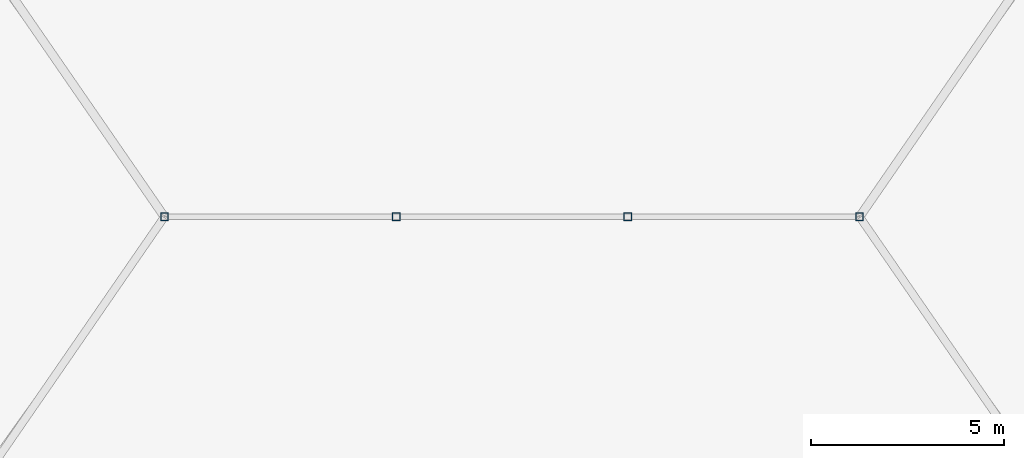
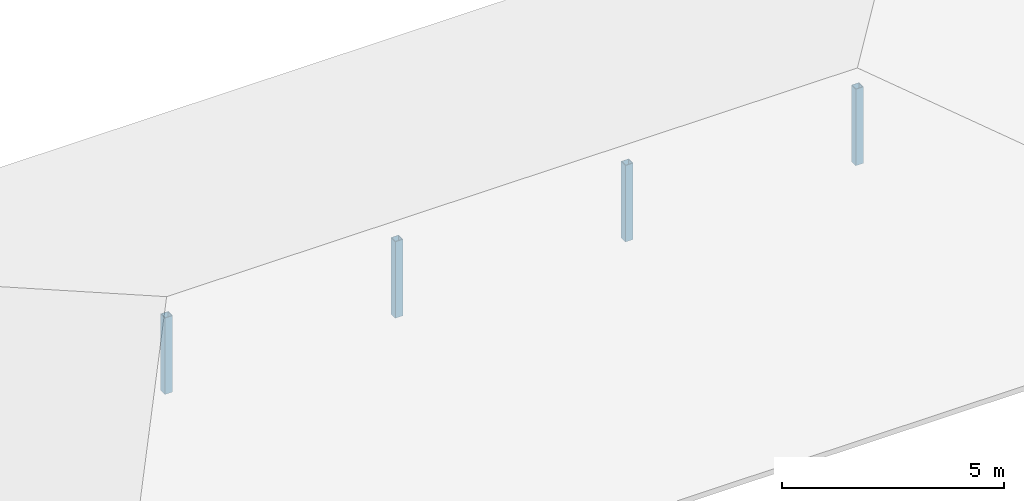
# One storey, part 2 of 81: 4 columns.
"""IFC4 building model written with IfcOpenShell, lengths in metres."""

from ifc_helpers import new_model, si_unit, direction, frame, origin, origin_2d, place, context, subcontext, project, spatial, hollow_rectangle, extrude, material, material_profile, profile_set, type_object, element, save


model = new_model("IFC4")

# Units and contexts
model_context = context("Model", 3, precision=1e-05, world=origin(), true_north=direction((0.0, 1.0)))
body_context = subcontext(model_context, "Body", "Model", "MODEL_VIEW")
ifc_project = project(units=[si_unit("LENGTHUNIT", "METRE"), si_unit("AREAUNIT", "SQUARE_METRE"), si_unit("VOLUMEUNIT", "CUBIC_METRE"), si_unit("PLANEANGLEUNIT", "RADIAN"), si_unit("MASSUNIT", "GRAM", prefix="KILO")], contexts=[model_context])

# Site, building, storey
site_placement = place(None, origin())
site = spatial("IfcSite", under=ifc_project, at=site_placement, CompositionType="ELEMENT")
building_placement = place(site_placement, origin())
building = spatial("IfcBuilding", under=site, at=building_placement, Name="Tanwirah Colonnade Gardens", CompositionType="ELEMENT")
storey_placement = place(building_placement, frame((0.0, 0.0, 8.840087890625)))
storey = spatial("IfcBuildingStorey", under=building, at=storey_placement, Name="L02", CompositionType="ELEMENT", Elevation=8.840087890625)

# Columns
ifc_material = material(Name="Steel S355", Category="steel")
ifc_material_profile = material_profile(ifc_material, hollow_rectangle(XDim=0.199951171875, YDim=0.199951171875, WallThickness=0.012451171875, at=origin_2d()), Name="SHS 200x200x12.5")
ifc_profile_set = profile_set([ifc_material_profile], Name="Steel S355")
column_type = type_object("IfcColumnType", Name="SCOL-SHS200", PredefinedType="COLUMN", material=ifc_profile_set)
for number, where, z_axis, x_axis, name in (
    (1, (84.0, 100.699951171875, 0.0), (0.0, 0.0, 1.0), (1.0, 0.0, 0.0), "Nursery Roof Ridge Post 1"),
    (2, (90.0, 100.699951171875, 0.0), (0.0, 0.0, 1.0), (1.0, 0.0, 0.0), "Nursery Roof Ridge Post 2"),
    (3, (96.0, 100.699951171875, 0.0), (0.0, 0.0, 1.0), (1.0, 0.0, 0.0), "Nursery Roof Ridge Post 3"),
    (4, (102.0, 100.699951171875, 0.0), (0.0, 0.0, 1.0), (1.0, 0.0, 0.0), "Nursery Roof Ridge Post 4"),
):
    element("IfcColumn", number, at=place(storey_placement, frame(where, z_axis=z_axis, x_axis=x_axis)), inside=storey, type_object=column_type, Name=name, PredefinedType="COLUMN", context=body_context, shape_type="SweptSolid", body=[
        extrude(hollow_rectangle(XDim=0.199951171875, YDim=0.199951171875, WallThickness=0.012451171875, at=origin_2d()), origin(), (0.0, 0.0, 1.0), 2.10498046875),
    ])

save(model, "model.ifc")
